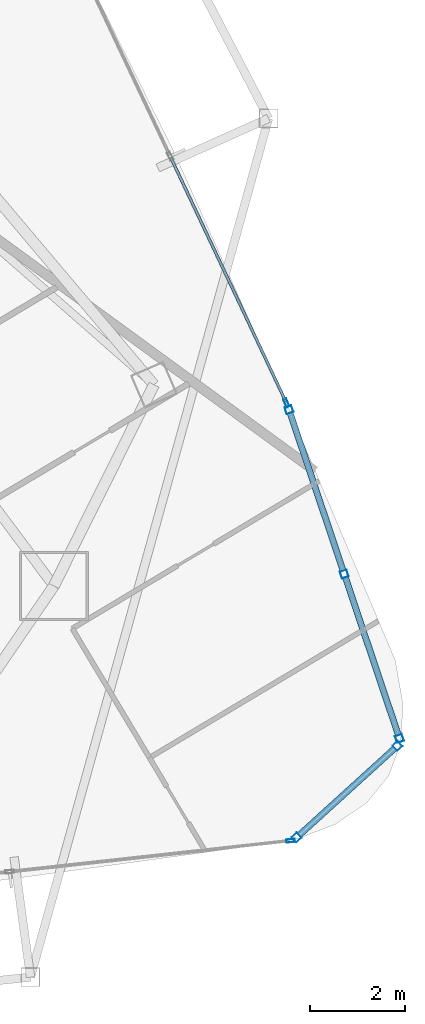
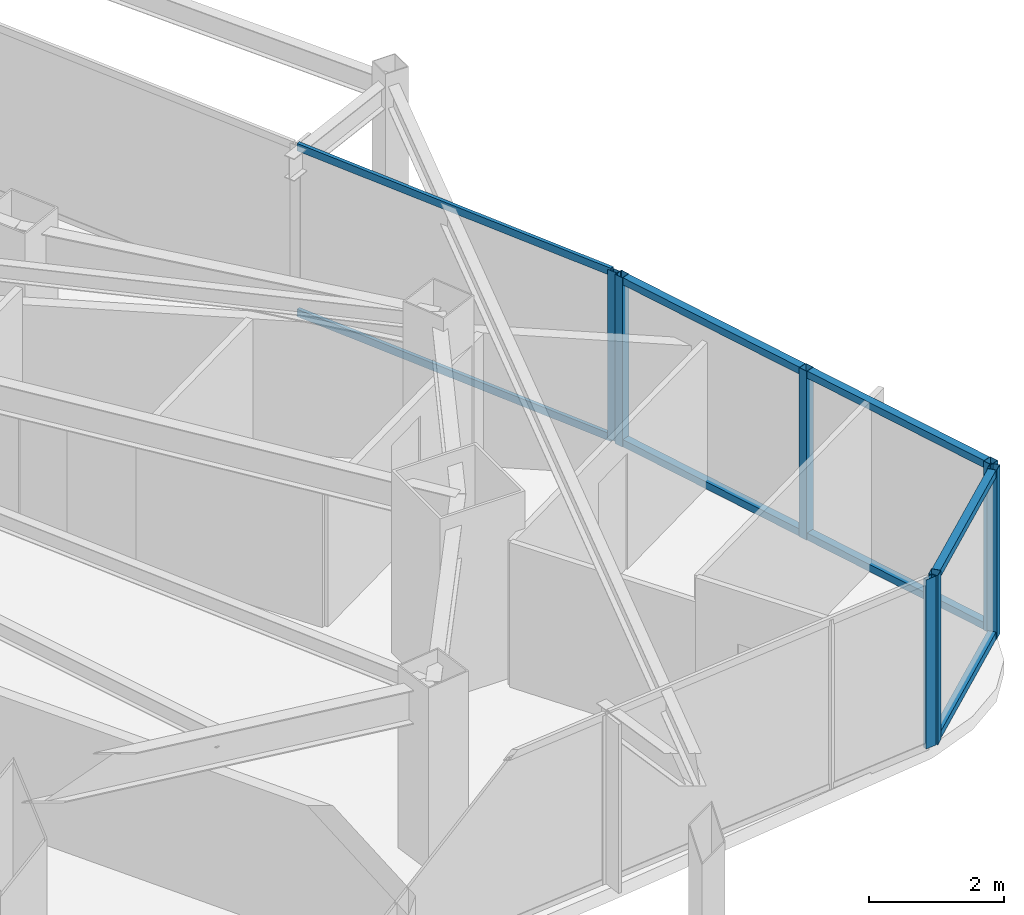
# One storey, part 14 of 33: 15 members, 4 elements without a shape of their own.
"""IFC4 building model written with IfcOpenShell, lengths in metres."""

from ifc_helpers import new_model, si_unit, direction, frame, origin, origin_2d, place, context, subcontext, project, spatial, hollow_rectangle, extrude, material, layer, layer_set, material_profile, profile_set, type_object, element, aggregate, save


model = new_model("IFC4")

# Units and contexts
model_context = context("Model", 3, precision=1e-05, world=origin(), true_north=direction((0.0, 1.0)))
body_context = subcontext(model_context, "Body", "Model", "MODEL_VIEW")
ifc_project = project(units=[si_unit("LENGTHUNIT", "METRE"), si_unit("AREAUNIT", "SQUARE_METRE"), si_unit("VOLUMEUNIT", "CUBIC_METRE"), si_unit("PLANEANGLEUNIT", "RADIAN"), si_unit("MASSUNIT", "GRAM", prefix="KILO")], contexts=[model_context])

# Site, building, storey
site_placement = place(None, origin())
site = spatial("IfcSite", under=ifc_project, at=site_placement, CompositionType="ELEMENT")
building_placement = place(site_placement, origin())
building = spatial("IfcBuilding", under=site, at=building_placement, Name="Orvanel Arch Residences", CompositionType="ELEMENT")
storey_placement = place(building_placement, frame((0.0, 0.0, 119.89990234375)))
storey = spatial("IfcBuildingStorey", under=building, at=storey_placement, Name="L33", CompositionType="ELEMENT", Elevation=119.89990234375)

# Curtain wall, members
ifc_material = material(Name="Bronze-anodised aluminium AA6063-T6", Category="aluminium")
ifc_layer_1 = layer(ifc_material, 0.18994140625)
ifc_layer_set_1 = layer_set([ifc_layer_1], Name="Bronze-anodised aluminium AA6063-T6")
curtain_wall_type_1 = type_object("IfcCurtainWallType", Name="CW5-CRN-SYS", PredefinedType="NOTDEFINED", material=ifc_layer_set_1)
curtain_wall_1_placement = place(storey_placement, origin())
curtain_wall_1 = element("IfcCurtainWall", 1, at=curtain_wall_1_placement, inside=storey, type_object=curtain_wall_type_1, Name="L33 CW5-CRN-SYS Unitised Curtain Wall", PredefinedType="NOTDEFINED")
ifc_material_profile_1 = material_profile(ifc_material, hollow_rectangle(XDim=0.14990234375, YDim=0.14990234375, WallThickness=0.0048828125, at=origin_2d()), Name="ALU150x150x5")
ifc_profile_set_1 = profile_set([ifc_material_profile_1], Name="Bronze-anodised aluminium AA6063-T6")
member_type_1 = type_object("IfcMemberType", Name="MUL-150x150", PredefinedType="MULLION", material=ifc_profile_set_1)
member_1_placement = place(storey_placement, frame((56.905517578125, 5.0634765625, 0.0), z_axis=(0.0, 0.0, 1.0), x_axis=(-0.672474713141, 0.740120098488, 0.0)))
member_1 = element("IfcMember", 2, at=member_1_placement, type_object=member_type_1, Name="CW-S5 mullion 1", PredefinedType="MULLION", context=body_context, shape_type="SweptSolid", body=[
    extrude(hollow_rectangle(XDim=0.14990234375, YDim=0.14990234375, WallThickness=0.0048828125, at=origin_2d()), origin(), (0.0, 0.0, 1.0), 3.06005859375),
])
member_2_placement = place(storey_placement, frame((59.026611328125, 6.990478515625, 0.0), z_axis=(0.0, 0.0, 1.0), x_axis=(-0.672474713141, 0.740120098488, 0.0)))
member_2 = element("IfcMember", 3, at=member_2_placement, type_object=member_type_1, Name="CW-S5 mullion 2", PredefinedType="MULLION", context=body_context, shape_type="SweptSolid", body=[
    extrude(hollow_rectangle(XDim=0.14990234375, YDim=0.14990234375, WallThickness=0.0048828125, at=origin_2d()), origin(), (0.0, 0.0, 1.0), 3.06005859375),
])

curtain_wall_2_placement = place(storey_placement, origin())
curtain_wall_2 = element("IfcCurtainWall", 4, at=curtain_wall_2_placement, inside=storey, type_object=curtain_wall_type_1, Name="L33 CW5-CRN-SYS Unitised Curtain Wall", PredefinedType="NOTDEFINED")
member_3_placement = place(storey_placement, frame((59.067138671875, 7.14404296875, 0.0), z_axis=(0.0, 0.0, 1.0), x_axis=(-0.947955325497, -0.318403361888, 0.0)))
member_3 = element("IfcMember", 5, at=member_3_placement, type_object=member_type_1, Name="CW-S5 mullion 1", PredefinedType="MULLION", context=body_context, shape_type="SweptSolid", body=[
    extrude(hollow_rectangle(XDim=0.14990234375, YDim=0.14990234375, WallThickness=0.0048828125, at=origin_2d()), origin(), (0.0, 0.0, 1.0), 3.06005859375),
])
member_4_placement = place(storey_placement, frame((57.906005859375, 10.60107421875, 0.0), z_axis=(0.0, 0.0, 1.0), x_axis=(-0.947955325497, -0.318403361888, 0.0)))
member_4 = element("IfcMember", 6, at=member_4_placement, type_object=member_type_1, Name="CW-S5 mullion 2", PredefinedType="MULLION", context=body_context, shape_type="SweptSolid", body=[
    extrude(hollow_rectangle(XDim=0.14990234375, YDim=0.14990234375, WallThickness=0.0048828125, at=origin_2d()), origin(), (0.0, 0.0, 1.0), 3.06005859375),
])
member_5_placement = place(storey_placement, frame((56.744873046875, 14.057861328125, 0.0), z_axis=(0.0, 0.0, 1.0), x_axis=(-0.947955325497, -0.318403361888, 0.0)))
member_5 = element("IfcMember", 7, at=member_5_placement, type_object=member_type_1, Name="CW-S5 mullion 3", PredefinedType="MULLION", context=body_context, shape_type="SweptSolid", body=[
    extrude(hollow_rectangle(XDim=0.14990234375, YDim=0.14990234375, WallThickness=0.0048828125, at=origin_2d()), origin(), (0.0, 0.0, 1.0), 3.06005859375),
])

# Curtain wall, member
ifc_layer_2 = layer(ifc_material, 0.179931640625)
ifc_layer_set_2 = layer_set([ifc_layer_2], Name="Bronze-anodised aluminium AA6063-T6")
curtain_wall_type_2 = type_object("IfcCurtainWallType", Name="CW3-MID-SYS", PredefinedType="NOTDEFINED", material=ifc_layer_set_2)
curtain_wall_3_placement = place(storey_placement, origin())
curtain_wall_3 = element("IfcCurtainWall", 8, at=curtain_wall_3_placement, inside=storey, type_object=curtain_wall_type_2, Name="L33 CW3-MID-SYS Unitised Curtain Wall", PredefinedType="NOTDEFINED")
ifc_material_profile_2 = material_profile(ifc_material, hollow_rectangle(XDim=0.070068359375, YDim=0.179931640625, WallThickness=0.00439453125, at=origin_2d()), Name="ALU180x70x4.5")
ifc_profile_set_2 = profile_set([ifc_material_profile_2], Name="Bronze-anodised aluminium AA6063-T6")
member_type_2 = type_object("IfcMemberType", Name="MUL-180x70", PredefinedType="MULLION", material=ifc_profile_set_2)
member_6_placement = place(storey_placement, frame((56.7802734375, 4.994140625, 0.0), z_axis=(0.0, 0.0, 1.0), x_axis=(-0.109397745116, 0.99399805501, 0.0)))
member_6 = element("IfcMember", 9, at=member_6_placement, type_object=member_type_2, Name="CW-S3 mullion 4", PredefinedType="MULLION", context=body_context, shape_type="SweptSolid", body=[
    extrude(hollow_rectangle(XDim=0.070068359375, YDim=0.179931640625, WallThickness=0.00439453125, at=origin_2d()), origin(), (0.0, 0.0, 1.0), 3.06005859375),
])
aggregate(curtain_wall_3, [member_6])

curtain_wall_4_placement = place(storey_placement, origin())
curtain_wall_4 = element("IfcCurtainWall", 10, at=curtain_wall_4_placement, inside=storey, type_object=curtain_wall_type_2, Name="L33 CW3-MID-SYS Unitised Curtain Wall", PredefinedType="NOTDEFINED")
member_7_placement = place(storey_placement, frame((56.691162109375, 14.19775390625, 0.0), z_axis=(0.0, 0.0, 1.0), x_axis=(-0.904551426474, -0.426364535184, 0.0)))
member_7 = element("IfcMember", 11, at=member_7_placement, type_object=member_type_2, Name="CW-S3 mullion 1", PredefinedType="MULLION", context=body_context, shape_type="SweptSolid", body=[
    extrude(hollow_rectangle(XDim=0.070068359375, YDim=0.179931640625, WallThickness=0.00439453125, at=origin_2d()), origin(), (0.0, 0.0, 1.0), 3.06005859375),
])

# Member
ifc_material_profile_3 = material_profile(ifc_material, hollow_rectangle(XDim=0.1298828125, YDim=0.1298828125, WallThickness=0.00439453125, at=origin_2d()), Name="ALU130x130x4.5")
ifc_profile_set_3 = profile_set([ifc_material_profile_3], Name="Bronze-anodised aluminium AA6063-T6")
member_type_3 = type_object("IfcMemberType", Name="TRN-130x130", PredefinedType="USERDEFINED", material=ifc_profile_set_3)
member_8_placement = place(storey_placement, frame((56.9609375, 5.11376953125, 0.065185546875), z_axis=(0.740098689588, 0.672498274846, 0.0), x_axis=(-0.672498274846, 0.740098689588, 0.0)))
member_8 = element("IfcMember", 12, at=member_8_placement, type_object=member_type_3, Name="CW-S5 transom 1.1", ObjectType="TRANSOM", PredefinedType="USERDEFINED", context=body_context, shape_type="SweptSolid", body=[
    extrude(hollow_rectangle(XDim=0.1298828125, YDim=0.1298828125, WallThickness=0.00439453125, at=origin_2d()), origin(), (0.0, 0.0, 1.0), 2.7158203125),
])

member_9_placement = place(storey_placement, frame((56.9609375, 5.11376953125, 2.9951171875), z_axis=(0.740098689588, 0.672498274846, 0.0), x_axis=(-0.672498274846, 0.740098689588, 0.0)))
member_9 = element("IfcMember", 13, at=member_9_placement, type_object=member_type_3, Name="CW-S5 transom 1.2", ObjectType="TRANSOM", PredefinedType="USERDEFINED", context=body_context, shape_type="SweptSolid", body=[
    extrude(hollow_rectangle(XDim=0.1298828125, YDim=0.1298828125, WallThickness=0.00439453125, at=origin_2d()), origin(), (0.0, 0.0, 1.0), 2.7158203125),
])

aggregate(curtain_wall_1, [member_1, member_2, member_8, member_9])

member_10_placement = place(storey_placement, frame((59.043212890625, 7.215087890625, 0.065185546875), z_axis=(-0.318384421653, 0.947961687015, 0.0), x_axis=(-0.947961687015, -0.318384421653, 0.0)))
member_10 = element("IfcMember", 14, at=member_10_placement, type_object=member_type_3, Name="CW-S5 transom 1.1", ObjectType="TRANSOM", PredefinedType="USERDEFINED", context=body_context, shape_type="SweptSolid", body=[
    extrude(hollow_rectangle(XDim=0.1298828125, YDim=0.1298828125, WallThickness=0.00439453125, at=origin_2d()), origin(), (0.0, 0.0, 1.0), 3.49658203125),
])

member_11_placement = place(storey_placement, frame((59.043212890625, 7.215087890625, 2.9951171875), z_axis=(-0.318384421653, 0.947961687015, 0.0), x_axis=(-0.947961687015, -0.318384421653, 0.0)))
member_11 = element("IfcMember", 15, at=member_11_placement, type_object=member_type_3, Name="CW-S5 transom 1.2", ObjectType="TRANSOM", PredefinedType="USERDEFINED", context=body_context, shape_type="SweptSolid", body=[
    extrude(hollow_rectangle(XDim=0.1298828125, YDim=0.1298828125, WallThickness=0.00439453125, at=origin_2d()), origin(), (0.0, 0.0, 1.0), 3.49658203125),
])

member_12_placement = place(storey_placement, frame((57.882080078125, 10.672119140625, 0.065185546875), z_axis=(-0.318384421653, 0.947961687015, 0.0), x_axis=(-0.947961687015, -0.318384421653, 0.0)))
member_12 = element("IfcMember", 16, at=member_12_placement, type_object=member_type_3, Name="CW-S5 transom 2.1", ObjectType="TRANSOM", PredefinedType="USERDEFINED", context=body_context, shape_type="SweptSolid", body=[
    extrude(hollow_rectangle(XDim=0.1298828125, YDim=0.1298828125, WallThickness=0.00439453125, at=origin_2d()), origin(), (0.0, 0.0, 1.0), 3.49658203125),
])

member_13_placement = place(storey_placement, frame((57.882080078125, 10.672119140625, 2.9951171875), z_axis=(-0.318384421653, 0.947961687015, 0.0), x_axis=(-0.947961687015, -0.318384421653, 0.0)))
member_13 = element("IfcMember", 17, at=member_13_placement, type_object=member_type_3, Name="CW-S5 transom 2.2", ObjectType="TRANSOM", PredefinedType="USERDEFINED", context=body_context, shape_type="SweptSolid", body=[
    extrude(hollow_rectangle(XDim=0.1298828125, YDim=0.1298828125, WallThickness=0.00439453125, at=origin_2d()), origin(), (0.0, 0.0, 1.0), 3.49658203125),
])

aggregate(curtain_wall_2, [member_3, member_4, member_5, member_10, member_11, member_12, member_13])

ifc_material_profile_4 = material_profile(ifc_material, hollow_rectangle(XDim=0.06005859375, YDim=0.135009765625, WallThickness=0.00390625, at=origin_2d()), Name="ALU135x60x4")
ifc_profile_set_4 = profile_set([ifc_material_profile_4], Name="Bronze-anodised aluminium AA6063-T6")
member_type_4 = type_object("IfcMemberType", Name="TRN-135x60", PredefinedType="USERDEFINED", material=ifc_profile_set_4)
member_14_placement = place(storey_placement, frame((56.67626953125, 14.229248046875, 0.030029296875), z_axis=(-0.42637187979, 0.904547964524, 0.0), x_axis=(-0.904547964524, -0.42637187979, 0.0)))
member_14 = element("IfcMember", 18, at=member_14_placement, type_object=member_type_4, Name="CW-S3 transom 1.1", ObjectType="TRANSOM", PredefinedType="USERDEFINED", context=body_context, shape_type="SweptSolid", body=[
    extrude(hollow_rectangle(XDim=0.06005859375, YDim=0.135009765625, WallThickness=0.00390625, at=origin_2d()), origin(), (0.0, 0.0, 1.0), 5.664794921875),
])

member_15_placement = place(storey_placement, frame((56.67626953125, 14.229248046875, 3.030029296875), z_axis=(-0.42637187979, 0.904547964524, 0.0), x_axis=(-0.904547964524, -0.42637187979, 0.0)))
member_15 = element("IfcMember", 19, at=member_15_placement, type_object=member_type_4, Name="CW-S3 transom 1.2", ObjectType="TRANSOM", PredefinedType="USERDEFINED", context=body_context, shape_type="SweptSolid", body=[
    extrude(hollow_rectangle(XDim=0.06005859375, YDim=0.135009765625, WallThickness=0.00390625, at=origin_2d()), origin(), (0.0, 0.0, 1.0), 5.664794921875),
])

aggregate(curtain_wall_4, [member_7, member_14, member_15])

save(model, "model.ifc")
